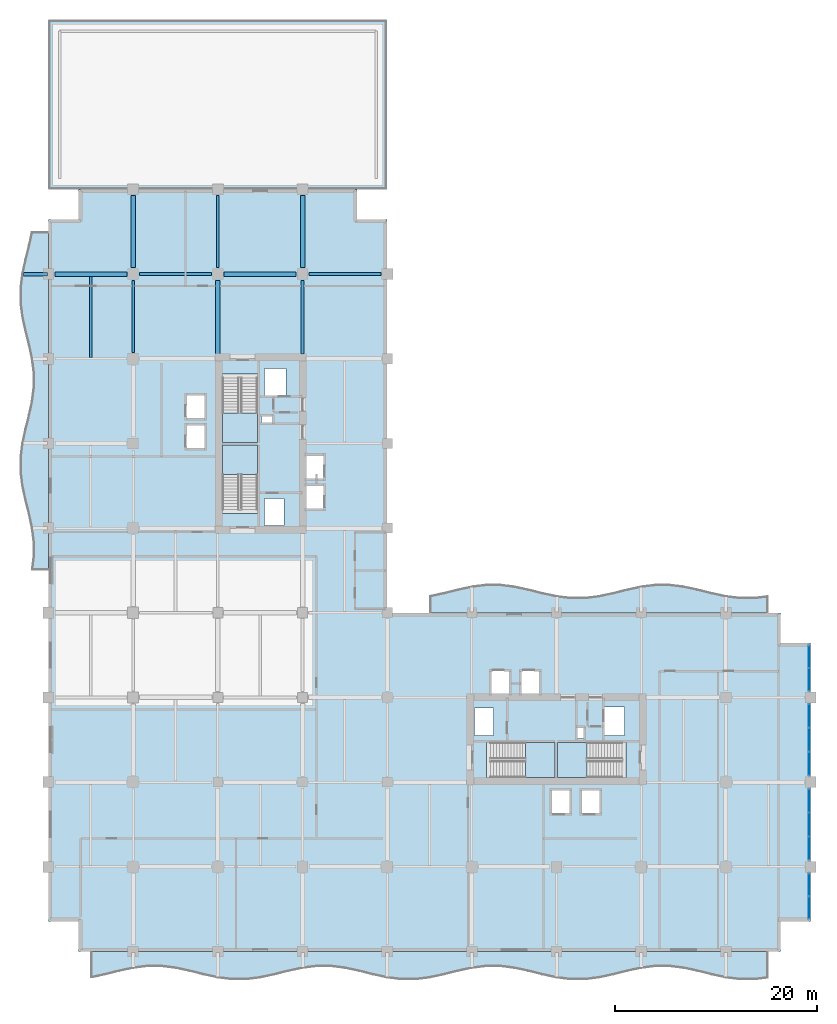
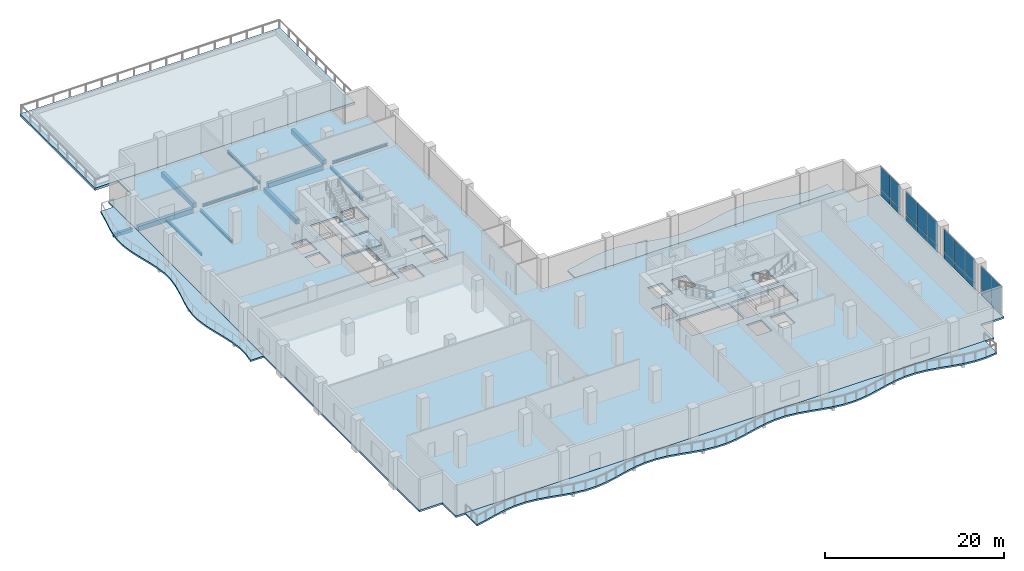
# One storey, part 8 of 22: 20 plates, 12 beams, 9 slabs, 8 elements without a shape of their own.
"""IFC4 building model written with IfcOpenShell, lengths in metres."""

from ifc_helpers import new_model, si_unit, direction, frame, origin, origin_2d, place, context, subcontext, project, spatial, polyline, rectangle, i_section, outline, extrude, material, layer, layer_set, material_profile, profile_set, type_object, element, aggregate, save


model = new_model("IFC4")

# Units and contexts
model_context = context("Model", 3, precision=1e-05, world=origin(), true_north=direction((0.0, 1.0)))
body_context = subcontext(model_context, "Body", "Model", "MODEL_VIEW")
ifc_project = project(units=[si_unit("LENGTHUNIT", "METRE"), si_unit("AREAUNIT", "SQUARE_METRE"), si_unit("VOLUMEUNIT", "CUBIC_METRE"), si_unit("PLANEANGLEUNIT", "RADIAN"), si_unit("MASSUNIT", "GRAM", prefix="KILO")], contexts=[model_context])

# Site, building, storey
site_placement = place(None, origin())
site = spatial("IfcSite", under=ifc_project, at=site_placement, CompositionType="ELEMENT")
building_placement = place(site_placement, origin())
building = spatial("IfcBuilding", under=site, at=building_placement, Name="Koriwani Terraces Tower", CompositionType="ELEMENT")
storey_placement = place(building_placement, frame((0.0, 0.0, 153.199951171875)))
storey = spatial("IfcBuildingStorey", under=building, at=storey_placement, Name="L37", CompositionType="ELEMENT", Elevation=153.199951171875)

# Beams
ifc_material_1 = material(Name="Concrete C40/50", Category="concrete")
ifc_material_profile_1 = material_profile(ifc_material_1, rectangle(XDim=0.35009765625, YDim=0.449951171875, at=origin_2d()), Name="Concrete C40/50", Category="LoadBearing")
ifc_profile_set_1 = profile_set([ifc_material_profile_1], Name="Concrete C40/50")
beam_type_1 = type_object("IfcBeamType", Name="BEAM_RC_BALCONY_RIB_350X450", PredefinedType="JOIST", material=ifc_profile_set_1)
beam_1_placement = place(storey_placement, frame((-2.502197265625, 67.199951171875, -0.474853515625), z_axis=(1.0, 0.0, 0.0), x_axis=(0.0, 1.0, 0.0)))
element("IfcBeam", 1, at=beam_1_placement, inside=storey, type_object=beam_type_1, Name="L37 Balcony Bracket Rib W-4", PredefinedType="JOIST", context=body_context, shape_type="SweptSolid", body=[
    extrude(rectangle(XDim=0.35009765625, YDim=0.449951171875, at=origin_2d()), origin(), (0.0, 0.0, 1.0), 2.402099609375),
])
ifc_material_2 = material(Name="Concrete C50/60", Category="concrete")
ifc_material_profile_2 = material_profile(ifc_material_2, rectangle(XDim=0.449951171875, YDim=0.64990234375, at=origin_2d()), Name="Concrete C50/60", Category="LoadBearing")
ifc_profile_set_2 = profile_set([ifc_material_profile_2], Name="Concrete C50/60")
beam_type_2 = type_object("IfcBeamType", Name="BEAM_RC_GRID_450X650", PredefinedType="BEAM", material=ifc_profile_set_2)
for number, where, z_axis, x_axis, name in (
    (2, (0.6298828125, 67.199951171875, -0.574951171875), (1.0, 0.0, 0.0), (0.0, 1.0, 0.0), "L37 Grid Beam I (0.0-8.4m)"),
    (3, (17.429931640625, 67.199951171875, -0.574951171875), (1.0, 0.0, 0.0), (0.0, 1.0, 0.0), "L37 Grid Beam I (16.8-25.2m)"),
):
    element("IfcBeam", number, at=place(storey_placement, frame(where, z_axis=z_axis, x_axis=x_axis)), inside=storey, type_object=beam_type_2, Name=name, PredefinedType="BEAM", context=body_context, shape_type="SweptSolid", body=[
        extrude(rectangle(XDim=0.449951171875, YDim=0.64990234375, at=origin_2d()), origin(), (0.0, 0.0, 1.0), 7.14013671875),
    ])
beam_2_placement = place(storey_placement, frame((8.39990234375, 67.830078125, -0.574951171875), z_axis=(0.0, 1.0, 0.0), x_axis=(-1.0, 0.0, 0.0)))
element("IfcBeam", 4, at=beam_2_placement, inside=storey, type_object=beam_type_2, Name="L37 Grid Beam 2 (67.2-75.6m)", PredefinedType="BEAM", context=body_context, shape_type="SweptSolid", body=[
    extrude(rectangle(XDim=0.449951171875, YDim=0.64990234375, at=origin_2d()), origin(), (0.0, 0.0, 1.0), 7.139892578125),
])
beam_3_placement = place(storey_placement, frame((16.800048828125, 59.280029296875, -0.574951171875), z_axis=(0.0, 1.0, 0.0), x_axis=(-1.0, 0.0, 0.0)))
element("IfcBeam", 5, at=beam_3_placement, inside=storey, type_object=beam_type_2, Name="L37 Grid Beam 3 (58.8-67.2m)", PredefinedType="BEAM", context=body_context, shape_type="SweptSolid", body=[
    extrude(rectangle(XDim=0.449951171875, YDim=0.64990234375, at=origin_2d()), origin(), (0.0, 0.0, 1.0), 7.2900390625),
])
beam_4_placement = place(storey_placement, frame((25.199951171875, 67.830078125, -0.574951171875), z_axis=(0.0, 1.0, 0.0), x_axis=(-1.0, 0.0, 0.0)))
element("IfcBeam", 6, at=beam_4_placement, inside=storey, type_object=beam_type_2, Name="L37 Grid Beam 4 (67.2-75.6m)", PredefinedType="BEAM", context=body_context, shape_type="SweptSolid", body=[
    extrude(rectangle(XDim=0.449951171875, YDim=0.64990234375, at=origin_2d()), origin(), (0.0, 0.0, 1.0), 7.139892578125),
])
ifc_material_3 = material(Name="Steel ASTM A572 Grade 50", Category="steel")
ifc_material_profile_3 = material_profile(ifc_material_3, i_section(OverallWidth=0.257080078125, OverallDepth=0.363037109375, WebThickness=0.012939453125, FlangeThickness=0.021728515625, at=origin_2d()), Name="Steel ASTM A572 Grade 50", Category="LoadBearing")
ifc_profile_set_3 = profile_set([ifc_material_profile_3], Name="Steel ASTM A572 Grade 50")
beam_type_3 = type_object("IfcBeamType", Name="STEEL_BEAM_W360X122", PredefinedType="JOIST", material=ifc_profile_set_3)
for number, where, z_axis, x_axis, name in (
    (7, (9.030029296875, 67.199951171875, -0.431396484375), (1.0, 0.0, 0.0), (0.0, 1.0, 0.0), "L37 Grid Beam I (8.4-16.8m)"),
    (8, (25.830078125, 67.199951171875, -0.431396484375), (1.0, 0.0, 0.0), (0.0, 1.0, 0.0), "L37 Grid Beam I (25.2-33.6m)"),
):
    element("IfcBeam", number, at=place(storey_placement, frame(where, z_axis=z_axis, x_axis=x_axis)), inside=storey, type_object=beam_type_3, Name=name, PredefinedType="JOIST", context=body_context, shape_type="SweptSolid", body=[
        extrude(i_section(OverallWidth=0.257080078125, OverallDepth=0.363037109375, WebThickness=0.012939453125, FlangeThickness=0.021728515625, at=origin_2d()), origin(), (0.0, 0.0, 1.0), 7.139892578125),
    ])
beam_5_placement = place(storey_placement, frame((8.39990234375, 59.429931640625, -0.431396484375), z_axis=(0.0, 1.0, 0.0), x_axis=(-1.0, 0.0, 0.0)))
element("IfcBeam", 9, at=beam_5_placement, inside=storey, type_object=beam_type_3, Name="L37 Grid Beam 2 (58.8-67.2m)", PredefinedType="JOIST", context=body_context, shape_type="SweptSolid", body=[
    extrude(i_section(OverallWidth=0.257080078125, OverallDepth=0.363037109375, WebThickness=0.012939453125, FlangeThickness=0.021728515625, at=origin_2d()), origin(), (0.0, 0.0, 1.0), 7.14013671875),
])
beam_6_placement = place(storey_placement, frame((16.800048828125, 67.830078125, -0.431396484375), z_axis=(0.0, 1.0, 0.0), x_axis=(-1.0, 0.0, 0.0)))
element("IfcBeam", 10, at=beam_6_placement, inside=storey, type_object=beam_type_3, Name="L37 Grid Beam 3 (67.2-75.6m)", PredefinedType="JOIST", context=body_context, shape_type="SweptSolid", body=[
    extrude(i_section(OverallWidth=0.257080078125, OverallDepth=0.363037109375, WebThickness=0.012939453125, FlangeThickness=0.021728515625, at=origin_2d()), origin(), (0.0, 0.0, 1.0), 7.139892578125),
])
beam_7_placement = place(storey_placement, frame((25.199951171875, 59.280029296875, -0.431396484375), z_axis=(0.0, 1.0, 0.0), x_axis=(-1.0, 0.0, 0.0)))
element("IfcBeam", 11, at=beam_7_placement, inside=storey, type_object=beam_type_3, Name="L37 Grid Beam 4 (58.8-67.2m)", PredefinedType="JOIST", context=body_context, shape_type="SweptSolid", body=[
    extrude(i_section(OverallWidth=0.257080078125, OverallDepth=0.363037109375, WebThickness=0.012939453125, FlangeThickness=0.021728515625, at=origin_2d()), origin(), (0.0, 0.0, 1.0), 7.2900390625),
])
beam_8_placement = place(storey_placement, frame((4.199951171875, 58.91845703125, -0.431396484375), z_axis=(0.0, 1.0, 0.0), x_axis=(-1.0, 0.0, 0.0)))
element("IfcBeam", 12, at=beam_8_placement, inside=storey, type_object=beam_type_3, Name="L37 Secondary Steel Floor Joist X=4.2m", PredefinedType="JOIST", context=body_context, shape_type="SweptSolid", body=[
    extrude(i_section(OverallWidth=0.257080078125, OverallDepth=0.363037109375, WebThickness=0.012939453125, FlangeThickness=0.021728515625, at=origin_2d()), origin(), (0.0, 0.0, 1.0), 8.066650390625),
])

# Curtain wall, plates
ifc_material_4 = material(Name="Anodised Bronze Aluminium", Category="aluminium")
ifc_layer_1 = layer(ifc_material_4, 0.169921875, Name="Anodised Bronze Aluminium")
ifc_layer_set_1 = layer_set([ifc_layer_1], Name="Anodised Bronze Aluminium")
curtain_wall_type = type_object("IfcCurtainWallType", Name="CW_RES_ZONE3", PredefinedType="NOTDEFINED", material=ifc_layer_set_1)
curtain_wall_1_placement = place(storey_placement, origin())
curtain_wall_1 = element("IfcCurtainWall", 13, at=curtain_wall_1_placement, inside=storey, type_object=curtain_wall_type, Name="L37 Unitised Curtain Wall (E_TIP) Bay 1", PredefinedType="NOTDEFINED")
ifc_material_5 = material(Name="Tempered Laminated Low-E Glass", Category="glass")
ifc_layer_2 = layer(ifc_material_5, 0.028076171875, Name="Tempered Laminated Low-E Glass")
ifc_layer_set_2 = layer_set([ifc_layer_2], Name="Tempered Laminated Low-E Glass")
plate_type = type_object("IfcPlateType", Name="CW_PANEL_VISION_28", PredefinedType="CURTAIN_PANEL", material=ifc_layer_set_2)
plate_1_placement = place(storey_placement, frame((75.425048828125, 29.25244140625, 0.06494140625), z_axis=(0.0, 0.0, 1.0), x_axis=(0.0, -1.0, 0.0)))
plate_1 = element("IfcPlate", 14, at=plate_1_placement, type_object=plate_type, Name="CW-Z3 panel 1.1", PredefinedType="CURTAIN_PANEL", context=body_context, shape_type="SweptSolid", body=[
    extrude(rectangle(XDim=2.195068359375, YDim=0.028076171875, at=origin_2d()), origin(), (0.0, 0.0, 1.0), 0.802490234375),
])
plate_2_placement = place(storey_placement, frame((75.425048828125, 29.25244140625, 0.9326171875), z_axis=(0.0, 0.0, 1.0), x_axis=(0.0, -1.0, 0.0)))
plate_2 = element("IfcPlate", 15, at=plate_2_placement, type_object=plate_type, Name="CW-Z3 panel 1.2", PredefinedType="CURTAIN_PANEL", context=body_context, shape_type="SweptSolid", body=[
    extrude(rectangle(XDim=2.195068359375, YDim=0.028076171875, at=origin_2d()), origin(), (0.0, 0.0, 1.0), 3.152587890625),
])
plate_3_placement = place(storey_placement, frame((75.425048828125, 26.982421875, 0.06494140625), z_axis=(0.0, 0.0, 1.0), x_axis=(0.0, -1.0, 0.0)))
plate_3 = element("IfcPlate", 16, at=plate_3_placement, type_object=plate_type, Name="CW-Z3 panel 2.1", PredefinedType="CURTAIN_PANEL", context=body_context, shape_type="SweptSolid", body=[
    extrude(rectangle(XDim=2.195068359375, YDim=0.028076171875, at=origin_2d()), origin(), (0.0, 0.0, 1.0), 0.802490234375),
])
plate_4_placement = place(storey_placement, frame((75.425048828125, 26.982421875, 0.9326171875), z_axis=(0.0, 0.0, 1.0), x_axis=(0.0, -1.0, 0.0)))
plate_4 = element("IfcPlate", 17, at=plate_4_placement, type_object=plate_type, Name="CW-Z3 panel 2.2", PredefinedType="CURTAIN_PANEL", context=body_context, shape_type="SweptSolid", body=[
    extrude(rectangle(XDim=2.195068359375, YDim=0.028076171875, at=origin_2d()), origin(), (0.0, 0.0, 1.0), 3.152587890625),
])
aggregate(curtain_wall_1, [plate_1, plate_2, plate_3, plate_4])

curtain_wall_2_placement = place(storey_placement, origin())
curtain_wall_2 = element("IfcCurtainWall", 18, at=curtain_wall_2_placement, inside=storey, type_object=curtain_wall_type, Name="L37 Unitised Curtain Wall (E_TIP) Bay 2", PredefinedType="NOTDEFINED")
plate_5_placement = place(storey_placement, frame((75.425048828125, 23.37451171875, 0.06494140625), z_axis=(0.0, 0.0, 1.0), x_axis=(0.0, -1.0, 0.0)))
plate_5 = element("IfcPlate", 19, at=plate_5_placement, type_object=plate_type, Name="CW-Z3 panel 1.1", PredefinedType="CURTAIN_PANEL", context=body_context, shape_type="SweptSolid", body=[
    extrude(rectangle(XDim=2.28076171875, YDim=0.028076171875, at=origin_2d()), origin(), (0.0, 0.0, 1.0), 0.802490234375),
])
plate_6_placement = place(storey_placement, frame((75.425048828125, 23.37451171875, 0.9326171875), z_axis=(0.0, 0.0, 1.0), x_axis=(0.0, -1.0, 0.0)))
plate_6 = element("IfcPlate", 20, at=plate_6_placement, type_object=plate_type, Name="CW-Z3 panel 1.2", PredefinedType="CURTAIN_PANEL", context=body_context, shape_type="SweptSolid", body=[
    extrude(rectangle(XDim=2.28076171875, YDim=0.028076171875, at=origin_2d()), origin(), (0.0, 0.0, 1.0), 3.152587890625),
])
plate_7_placement = place(storey_placement, frame((75.425048828125, 21.0, 0.06494140625), z_axis=(0.0, 0.0, 1.0), x_axis=(0.0, -1.0, 0.0)))
plate_7 = element("IfcPlate", 21, at=plate_7_placement, type_object=plate_type, Name="CW-Z3 panel 2.1", PredefinedType="CURTAIN_PANEL", context=body_context, shape_type="SweptSolid", body=[
    extrude(rectangle(XDim=2.318359375, YDim=0.028076171875, at=origin_2d()), origin(), (0.0, 0.0, 1.0), 0.802490234375),
])
plate_8_placement = place(storey_placement, frame((75.425048828125, 21.0, 0.9326171875), z_axis=(0.0, 0.0, 1.0), x_axis=(0.0, -1.0, 0.0)))
plate_8 = element("IfcPlate", 22, at=plate_8_placement, type_object=plate_type, Name="CW-Z3 panel 2.2", PredefinedType="CURTAIN_PANEL", context=body_context, shape_type="SweptSolid", body=[
    extrude(rectangle(XDim=2.318359375, YDim=0.028076171875, at=origin_2d()), origin(), (0.0, 0.0, 1.0), 3.152587890625),
])
plate_9_placement = place(storey_placement, frame((75.425048828125, 18.62548828125, 0.06494140625), z_axis=(0.0, 0.0, 1.0), x_axis=(0.0, -1.0, 0.0)))
plate_9 = element("IfcPlate", 23, at=plate_9_placement, type_object=plate_type, Name="CW-Z3 panel 3.1", PredefinedType="CURTAIN_PANEL", context=body_context, shape_type="SweptSolid", body=[
    extrude(rectangle(XDim=2.28076171875, YDim=0.028076171875, at=origin_2d()), origin(), (0.0, 0.0, 1.0), 0.802490234375),
])
plate_10_placement = place(storey_placement, frame((75.425048828125, 18.62548828125, 0.9326171875), z_axis=(0.0, 0.0, 1.0), x_axis=(0.0, -1.0, 0.0)))
plate_10 = element("IfcPlate", 24, at=plate_10_placement, type_object=plate_type, Name="CW-Z3 panel 3.2", PredefinedType="CURTAIN_PANEL", context=body_context, shape_type="SweptSolid", body=[
    extrude(rectangle(XDim=2.28076171875, YDim=0.028076171875, at=origin_2d()), origin(), (0.0, 0.0, 1.0), 3.152587890625),
])
aggregate(curtain_wall_2, [plate_5, plate_6, plate_7, plate_8, plate_9, plate_10])

curtain_wall_3_placement = place(storey_placement, origin())
curtain_wall_3 = element("IfcCurtainWall", 25, at=curtain_wall_3_placement, inside=storey, type_object=curtain_wall_type, Name="L37 Unitised Curtain Wall (E_TIP) Bay 3", PredefinedType="NOTDEFINED")
plate_11_placement = place(storey_placement, frame((75.425048828125, 14.974609375, 0.06494140625), z_axis=(0.0, 0.0, 1.0), x_axis=(0.0, -1.0, 0.0)))
plate_11 = element("IfcPlate", 26, at=plate_11_placement, type_object=plate_type, Name="CW-Z3 panel 1.1", PredefinedType="CURTAIN_PANEL", context=body_context, shape_type="SweptSolid", body=[
    extrude(rectangle(XDim=2.28076171875, YDim=0.028076171875, at=origin_2d()), origin(), (0.0, 0.0, 1.0), 0.802490234375),
])
plate_12_placement = place(storey_placement, frame((75.425048828125, 14.974609375, 0.9326171875), z_axis=(0.0, 0.0, 1.0), x_axis=(0.0, -1.0, 0.0)))
plate_12 = element("IfcPlate", 27, at=plate_12_placement, type_object=plate_type, Name="CW-Z3 panel 1.2", PredefinedType="CURTAIN_PANEL", context=body_context, shape_type="SweptSolid", body=[
    extrude(rectangle(XDim=2.28076171875, YDim=0.028076171875, at=origin_2d()), origin(), (0.0, 0.0, 1.0), 3.152587890625),
])
plate_13_placement = place(storey_placement, frame((75.425048828125, 12.60009765625, 0.06494140625), z_axis=(0.0, 0.0, 1.0), x_axis=(0.0, -1.0, 0.0)))
plate_13 = element("IfcPlate", 28, at=plate_13_placement, type_object=plate_type, Name="CW-Z3 panel 2.1", PredefinedType="CURTAIN_PANEL", context=body_context, shape_type="SweptSolid", body=[
    extrude(rectangle(XDim=2.318359375, YDim=0.028076171875, at=origin_2d()), origin(), (0.0, 0.0, 1.0), 0.802490234375),
])
plate_14_placement = place(storey_placement, frame((75.425048828125, 12.60009765625, 0.9326171875), z_axis=(0.0, 0.0, 1.0), x_axis=(0.0, -1.0, 0.0)))
plate_14 = element("IfcPlate", 29, at=plate_14_placement, type_object=plate_type, Name="CW-Z3 panel 2.2", PredefinedType="CURTAIN_PANEL", context=body_context, shape_type="SweptSolid", body=[
    extrude(rectangle(XDim=2.318359375, YDim=0.028076171875, at=origin_2d()), origin(), (0.0, 0.0, 1.0), 3.152587890625),
])
plate_15_placement = place(storey_placement, frame((75.425048828125, 10.225341796875, 0.06494140625), z_axis=(0.0, 0.0, 1.0), x_axis=(0.0, -1.0, 0.0)))
plate_15 = element("IfcPlate", 30, at=plate_15_placement, type_object=plate_type, Name="CW-Z3 panel 3.1", PredefinedType="CURTAIN_PANEL", context=body_context, shape_type="SweptSolid", body=[
    extrude(rectangle(XDim=2.28076171875, YDim=0.028076171875, at=origin_2d()), origin(), (0.0, 0.0, 1.0), 0.802490234375),
])
plate_16_placement = place(storey_placement, frame((75.425048828125, 10.225341796875, 0.9326171875), z_axis=(0.0, 0.0, 1.0), x_axis=(0.0, -1.0, 0.0)))
plate_16 = element("IfcPlate", 31, at=plate_16_placement, type_object=plate_type, Name="CW-Z3 panel 3.2", PredefinedType="CURTAIN_PANEL", context=body_context, shape_type="SweptSolid", body=[
    extrude(rectangle(XDim=2.28076171875, YDim=0.028076171875, at=origin_2d()), origin(), (0.0, 0.0, 1.0), 3.152587890625),
])
aggregate(curtain_wall_3, [plate_11, plate_12, plate_13, plate_14, plate_15, plate_16])

curtain_wall_4_placement = place(storey_placement, origin())
curtain_wall_4 = element("IfcCurtainWall", 32, at=curtain_wall_4_placement, inside=storey, type_object=curtain_wall_type, Name="L37 Unitised Curtain Wall (E_TIP) Bay 4", PredefinedType="NOTDEFINED")
plate_17_placement = place(storey_placement, frame((75.425048828125, 6.617431640625, 0.06494140625), z_axis=(0.0, 0.0, 1.0), x_axis=(0.0, -1.0, 0.0)))
plate_17 = element("IfcPlate", 33, at=plate_17_placement, type_object=plate_type, Name="CW-Z3 panel 1.1", PredefinedType="CURTAIN_PANEL", context=body_context, shape_type="SweptSolid", body=[
    extrude(rectangle(XDim=2.195068359375, YDim=0.028076171875, at=origin_2d()), origin(), (0.0, 0.0, 1.0), 0.802490234375),
])
plate_18_placement = place(storey_placement, frame((75.425048828125, 6.617431640625, 0.9326171875), z_axis=(0.0, 0.0, 1.0), x_axis=(0.0, -1.0, 0.0)))
plate_18 = element("IfcPlate", 34, at=plate_18_placement, type_object=plate_type, Name="CW-Z3 panel 1.2", PredefinedType="CURTAIN_PANEL", context=body_context, shape_type="SweptSolid", body=[
    extrude(rectangle(XDim=2.195068359375, YDim=0.028076171875, at=origin_2d()), origin(), (0.0, 0.0, 1.0), 3.152587890625),
])
plate_19_placement = place(storey_placement, frame((75.425048828125, 4.347412109375, 0.06494140625), z_axis=(0.0, 0.0, 1.0), x_axis=(0.0, -1.0, 0.0)))
plate_19 = element("IfcPlate", 35, at=plate_19_placement, type_object=plate_type, Name="CW-Z3 panel 2.1", PredefinedType="CURTAIN_PANEL", context=body_context, shape_type="SweptSolid", body=[
    extrude(rectangle(XDim=2.195068359375, YDim=0.028076171875, at=origin_2d()), origin(), (0.0, 0.0, 1.0), 0.802490234375),
])
plate_20_placement = place(storey_placement, frame((75.425048828125, 4.347412109375, 0.9326171875), z_axis=(0.0, 0.0, 1.0), x_axis=(0.0, -1.0, 0.0)))
plate_20 = element("IfcPlate", 36, at=plate_20_placement, type_object=plate_type, Name="CW-Z3 panel 2.2", PredefinedType="CURTAIN_PANEL", context=body_context, shape_type="SweptSolid", body=[
    extrude(rectangle(XDim=2.195068359375, YDim=0.028076171875, at=origin_2d()), origin(), (0.0, 0.0, 1.0), 3.152587890625),
])
aggregate(curtain_wall_4, [plate_17, plate_18, plate_19, plate_20])

# Slabs
ifc_layer_3 = layer(ifc_material_1, 0.219970703125, Name="Concrete C40/50")
ifc_layer_set_3 = layer_set([ifc_layer_3], Name="Concrete C40/50")
slab_type_1 = type_object("IfcSlabType", Name="SLAB_BALCONY_220", PredefinedType="FLOOR", material=ifc_layer_set_3)
slab_1_placement = place(storey_placement, frame((0.0, 0.0, -0.219970703125)))
element("IfcSlab", 37, at=slab_1_placement, inside=storey, type_object=slab_type_1, Name="L37 Quilted Circular-Arc Balcony (S)", PredefinedType="FLOOR", context=body_context, shape_type="SweptSolid", body=[
    extrude(outline(polyline([(4.199951171875, 0.0), (5.60009765625, 0.0), (7.0, 0.0), (8.39990234375, 0.0), (9.800048828125, 0.0), (11.199951171875, 0.0), (12.60009765625, 0.0), (14.0, 0.0), (15.39990234375, 0.0), (16.800048828125, 0.0), (18.199951171875, 0.0), (19.60009765625, 0.0), (21.0, 0.0), (22.39990234375, 0.0), (23.800048828125, 0.0), (25.199951171875, 0.0), (26.60009765625, 0.0), (28.0, 0.0), (29.39990234375, 0.0), (30.800048828125, 0.0), (32.199951171875, 0.0), (33.60009765625, 0.0), (35.0, 0.0), (36.39990234375, 0.0), (37.800048828125, 0.0), (39.199951171875, 0.0), (40.60009765625, 0.0), (42.0, 0.0), (43.39990234375, 0.0), (44.800048828125, 0.0), (46.199951171875, 0.0), (47.60009765625, 0.0), (49.0, 0.0), (50.39990234375, 0.0), (51.800048828125, 0.0), (53.199951171875, 0.0), (54.60009765625, 0.0), (56.0, 0.0), (57.39990234375, 0.0), (58.800048828125, 0.0), (60.199951171875, 0.0), (61.60009765625, 0.0), (63.0, 0.0), (64.39990234375, 0.0), (65.800048828125, 0.0), (67.199951171875, 0.0), (68.60009765625, 0.0), (70.0, 0.0), (71.39990234375, 0.0), (71.39990234375, -2.65234375), (70.0, -2.826904296875), (68.60009765625, -2.826904296875), (67.199951171875, -2.65234375), (65.800048828125, -2.349609375), (64.39990234375, -2.000244140625), (63.0, -1.69775390625), (61.60009765625, -1.52294921875), (60.199951171875, -1.52294921875), (58.800048828125, -1.69775390625), (57.39990234375, -2.000244140625), (56.0, -2.349609375), (54.60009765625, -2.65234375), (53.199951171875, -2.826904296875), (51.800048828125, -2.826904296875), (50.39990234375, -2.65234375), (49.0, -2.349609375), (47.60009765625, -2.000244140625), (46.199951171875, -1.69775390625), (44.800048828125, -1.52294921875), (43.39990234375, -1.52294921875), (42.0, -1.69775390625), (40.60009765625, -2.000244140625), (39.199951171875, -2.349609375), (37.800048828125, -2.65234375), (36.39990234375, -2.826904296875), (35.0, -2.826904296875), (33.60009765625, -2.65234375), (32.199951171875, -2.349609375), (30.800048828125, -2.000244140625), (29.39990234375, -1.69775390625), (28.0, -1.52294921875), (26.60009765625, -1.52294921875), (25.199951171875, -1.69775390625), (23.800048828125, -2.000244140625), (22.39990234375, -2.349609375), (21.0, -2.65234375), (19.60009765625, -2.826904296875), (18.199951171875, -2.826904296875), (16.800048828125, -2.65234375), (15.39990234375, -2.349609375), (14.0, -2.000244140625), (12.60009765625, -1.69775390625), (11.199951171875, -1.52294921875), (9.800048828125, -1.52294921875), (8.39990234375, -1.69775390625), (7.0, -2.000244140625), (5.60009765625, -2.349609375), (4.199951171875, -2.65234375), (4.199951171875, 0.0)])), origin(), (0.0, 0.0, 1.0), 0.219970703125),
])
slab_2_placement = place(storey_placement, frame((0.0, 0.0, -0.219970703125)))
element("IfcSlab", 38, at=slab_2_placement, inside=storey, type_object=slab_type_1, Name="L37 Quilted Circular-Arc Balcony (W)", PredefinedType="FLOOR", context=body_context, shape_type="SweptSolid", body=[
    extrude(outline(polyline([(0.0, 37.800048828125), (0.0, 39.199951171875), (0.0, 40.60009765625), (0.0, 42.0), (0.0, 43.39990234375), (0.0, 44.800048828125), (0.0, 46.199951171875), (0.0, 47.60009765625), (0.0, 49.0), (0.0, 50.39990234375), (0.0, 51.800048828125), (0.0, 53.199951171875), (0.0, 54.60009765625), (0.0, 56.0), (0.0, 57.39990234375), (0.0, 58.800048828125), (0.0, 60.199951171875), (0.0, 61.60009765625), (0.0, 63.0), (0.0, 64.39990234375), (0.0, 65.800048828125), (0.0, 67.199951171875), (0.0, 68.60009765625), (0.0, 70.0), (0.0, 71.39990234375), (-1.69775390625, 71.39990234375), (-2.000244140625, 70.0), (-2.349609375, 68.60009765625), (-2.65234375, 67.199951171875), (-2.826904296875, 65.800048828125), (-2.826904296875, 64.39990234375), (-2.65234375, 63.0), (-2.349609375, 61.60009765625), (-2.000244140625, 60.199951171875), (-1.69775390625, 58.800048828125), (-1.52294921875, 57.39990234375), (-1.52294921875, 56.0), (-1.69775390625, 54.60009765625), (-2.000244140625, 53.199951171875), (-2.349609375, 51.800048828125), (-2.65234375, 50.39990234375), (-2.826904296875, 49.0), (-2.826904296875, 47.60009765625), (-2.65234375, 46.199951171875), (-2.349609375, 44.800048828125), (-2.000244140625, 43.39990234375), (-1.69775390625, 42.0), (-1.52294921875, 40.60009765625), (-1.52294921875, 39.199951171875), (-1.69775390625, 37.800048828125), (0.0, 37.800048828125)])), origin(), (0.0, 0.0, 1.0), 0.219970703125),
])
slab_3_placement = place(storey_placement, frame((0.0, 0.0, -0.219970703125)))
element("IfcSlab", 39, at=slab_3_placement, inside=storey, type_object=slab_type_1, Name="L37 Quilted Circular-Arc Balcony (NE)", PredefinedType="FLOOR", context=body_context, shape_type="SweptSolid", body=[
    extrude(outline(polyline([(71.39990234375, 33.60009765625), (70.0, 33.60009765625), (68.60009765625, 33.60009765625), (67.199951171875, 33.60009765625), (65.800048828125, 33.60009765625), (64.39990234375, 33.60009765625), (63.0, 33.60009765625), (61.60009765625, 33.60009765625), (60.199951171875, 33.60009765625), (58.800048828125, 33.60009765625), (57.39990234375, 33.60009765625), (56.0, 33.60009765625), (54.60009765625, 33.60009765625), (53.199951171875, 33.60009765625), (51.800048828125, 33.60009765625), (50.39990234375, 33.60009765625), (49.0, 33.60009765625), (47.60009765625, 33.60009765625), (46.199951171875, 33.60009765625), (44.800048828125, 33.60009765625), (43.39990234375, 33.60009765625), (42.0, 33.60009765625), (40.60009765625, 33.60009765625), (39.199951171875, 33.60009765625), (37.800048828125, 33.60009765625), (37.800048828125, 35.297607421875), (39.199951171875, 35.600341796875), (40.60009765625, 35.94970703125), (42.0, 36.252197265625), (43.39990234375, 36.427001953125), (44.800048828125, 36.427001953125), (46.199951171875, 36.252197265625), (47.60009765625, 35.94970703125), (49.0, 35.600341796875), (50.39990234375, 35.297607421875), (51.800048828125, 35.123046875), (53.199951171875, 35.123046875), (54.60009765625, 35.297607421875), (56.0, 35.600341796875), (57.39990234375, 35.94970703125), (58.800048828125, 36.252197265625), (60.199951171875, 36.427001953125), (61.60009765625, 36.427001953125), (63.0, 36.252197265625), (64.39990234375, 35.94970703125), (65.800048828125, 35.600341796875), (67.199951171875, 35.297607421875), (68.60009765625, 35.123046875), (70.0, 35.123046875), (71.39990234375, 35.297607421875), (71.39990234375, 33.60009765625)])), origin(), (0.0, 0.0, 1.0), 0.219970703125),
])
ifc_layer_4 = layer(ifc_material_2, 0.320068359375, Name="Concrete C50/60")
ifc_layer_set_4 = layer_set([ifc_layer_4], Name="Concrete C50/60")
slab_type_2 = type_object("IfcSlabType", Name="SLAB_SKY_TERRACE_ROOF_320", PredefinedType="ROOF", material=ifc_layer_set_4)
slab_4_placement = place(storey_placement, frame((0.0, 0.0, -0.320068359375)))
element("IfcSlab", 40, at=slab_4_placement, inside=storey, type_object=slab_type_2, Name="L37 Planted Sky-Garden Setback Terrace Slab", PredefinedType="ROOF", context=body_context, shape_type="SweptSolid", body=[
    extrude(outline(polyline([(0.0, 75.60009765625), (33.60009765625, 75.60009765625), (33.60009765625, 92.39990234375), (0.0, 92.39990234375), (0.0, 75.60009765625)])), origin(), (0.0, 0.0, 1.0), 0.320068359375),
])

# Stair, slab
stair_type = type_object("IfcStairType", Name="STAIR_CORE_DOGLEG_1650", PredefinedType="TWO_STRAIGHT_RUN_STAIR", material=ifc_material_1)
stair_1_placement = place(storey_placement, origin())
stair_1 = element("IfcStair", 41, at=stair_1_placement, inside=storey, type_object=stair_type, Name="L37 West Core Exit Stair 1", PredefinedType="HALF_TURN_STAIR")
ifc_layer_5 = layer(ifc_material_1, 0.199951171875, Name="Concrete C40/50")
ifc_layer_set_5 = layer_set([ifc_layer_5], Name="Concrete C40/50")
slab_type_3 = type_object("IfcSlabType", Name="SLAB_STAIR_LANDING_200", PredefinedType="LANDING", material=ifc_layer_set_5)
slab_5_placement = place(storey_placement, frame((0.0, 0.0, 2.0)))
slab_5 = element("IfcSlab", 42, at=slab_5_placement, type_object=slab_type_3, Name="ST-W1 landing 1", PredefinedType="LANDING", context=body_context, shape_type="SweptSolid", body=[
    extrude(outline(polyline([(20.75, 47.330078125), (20.75, 50.25), (17.25, 50.25), (17.25, 47.330078125), (20.75, 47.330078125)])), origin(), (0.0, 0.0, 1.0), 0.199951171875),
])
aggregate(stair_1, [slab_5])

stair_2_placement = place(storey_placement, origin())
stair_2 = element("IfcStair", 43, at=stair_2_placement, inside=storey, type_object=stair_type, Name="L37 West Core Exit Stair 2", PredefinedType="HALF_TURN_STAIR")
slab_6_placement = place(storey_placement, frame((0.0, 0.0, 2.0)))
slab_6 = element("IfcSlab", 44, at=slab_6_placement, type_object=slab_type_3, Name="ST-W2 landing 1", PredefinedType="LANDING", context=body_context, shape_type="SweptSolid", body=[
    extrude(outline(polyline([(17.25, 53.419921875), (17.25, 50.5), (20.75, 50.5), (20.75, 53.419921875), (17.25, 53.419921875)])), origin(), (0.0, 0.0, 1.0), 0.199951171875),
])
aggregate(stair_2, [slab_6])

stair_3_placement = place(storey_placement, origin())
stair_3 = element("IfcStair", 45, at=stair_3_placement, inside=storey, type_object=stair_type, Name="L37 East Core Exit Stair 1", PredefinedType="HALF_TURN_STAIR")
slab_7_placement = place(storey_placement, frame((0.0, 0.0, 2.0)))
slab_7 = element("IfcSlab", 46, at=slab_7_placement, type_object=slab_type_3, Name="ST-E1 landing 1", PredefinedType="LANDING", context=body_context, shape_type="SweptSolid", body=[
    extrude(outline(polyline([(47.330078125, 17.25), (50.25, 17.25), (50.25, 20.75), (47.330078125, 20.75), (47.330078125, 17.25)])), origin(), (0.0, 0.0, 1.0), 0.199951171875),
])
aggregate(stair_3, [slab_7])

stair_4_placement = place(storey_placement, origin())
stair_4 = element("IfcStair", 47, at=stair_4_placement, inside=storey, type_object=stair_type, Name="L37 East Core Exit Stair 2", PredefinedType="HALF_TURN_STAIR")
slab_8_placement = place(storey_placement, frame((0.0, 0.0, 2.0)))
slab_8 = element("IfcSlab", 48, at=slab_8_placement, type_object=slab_type_3, Name="ST-E2 landing 1", PredefinedType="LANDING", context=body_context, shape_type="SweptSolid", body=[
    extrude(outline(polyline([(53.419921875, 20.75), (50.5, 20.75), (50.5, 17.25), (53.419921875, 17.25), (53.419921875, 20.75)])), origin(), (0.0, 0.0, 1.0), 0.199951171875),
])
aggregate(stair_4, [slab_8])

# Slab
ifc_layer_6 = layer(ifc_material_1, 0.25, Name="Concrete C40/50")
ifc_layer_set_6 = layer_set([ifc_layer_6], Name="Concrete C40/50")
slab_type_4 = type_object("IfcSlabType", Name="SLAB_TOWER_TYP_250", PredefinedType="FLOOR", material=ifc_layer_set_6)
slab_9_placement = place(storey_placement, frame((0.0, 0.0, -0.25)))
element("IfcSlab", 49, at=slab_9_placement, inside=storey, type_object=slab_type_4, Name="L37 Structural Floor Slab", PredefinedType="FLOOR", context=body_context, shape_type="SweptSolid", body=[
    extrude(outline(polyline([(3.0, 0.0), (72.60009765625, 0.0), (72.60009765625, 3.0), (75.60009765625, 3.0), (75.60009765625, 30.60009765625), (72.60009765625, 30.60009765625), (72.60009765625, 33.60009765625), (33.60009765625, 33.60009765625), (33.60009765625, 72.60009765625), (30.60009765625, 72.60009765625), (30.60009765625, 75.60009765625), (3.0, 75.60009765625), (3.0, 72.60009765625), (0.0, 72.60009765625), (0.0, 3.0), (3.0, 3.0), (3.0, 0.0)]), holes=[polyline([(17.25, 43.4599609375), (20.75, 43.4599609375), (20.75, 50.25), (17.25, 50.25), (17.25, 43.4599609375)]), polyline([(17.25, 50.5), (20.75, 50.5), (20.75, 57.2900390625), (17.25, 57.2900390625), (17.25, 50.5)]), polyline([(43.4599609375, 17.25), (50.25, 17.25), (50.25, 20.75), (43.4599609375, 20.75), (43.4599609375, 17.25)]), polyline([(50.5, 17.25), (57.2900390625, 17.25), (57.2900390625, 20.75), (50.5, 20.75), (50.5, 17.25)]), polyline([(13.64990234375, 49.85009765625), (15.550048828125, 49.85009765625), (15.550048828125, 52.25), (13.64990234375, 52.25), (13.64990234375, 49.85009765625)]), polyline([(13.64990234375, 52.85009765625), (15.550048828125, 52.85009765625), (15.550048828125, 55.25), (13.64990234375, 55.25), (13.64990234375, 52.85009765625)]), polyline([(49.85009765625, 13.64990234375), (51.75, 13.64990234375), (51.75, 16.050048828125), (49.85009765625, 16.050048828125), (49.85009765625, 13.64990234375)]), polyline([(52.85009765625, 13.64990234375), (54.75, 13.64990234375), (54.75, 16.050048828125), (52.85009765625, 16.050048828125), (52.85009765625, 13.64990234375)]), polyline([(25.449951171875, 43.85009765625), (27.35009765625, 43.85009765625), (27.35009765625, 46.25), (25.449951171875, 46.25), (25.449951171875, 43.85009765625)]), polyline([(25.449951171875, 46.85009765625), (27.35009765625, 46.85009765625), (27.35009765625, 49.25), (25.449951171875, 49.25), (25.449951171875, 46.85009765625)]), polyline([(43.85009765625, 25.449951171875), (45.75, 25.449951171875), (45.75, 27.85009765625), (43.85009765625, 27.85009765625), (43.85009765625, 25.449951171875)]), polyline([(46.85009765625, 25.449951171875), (48.75, 25.449951171875), (48.75, 27.85009765625), (46.85009765625, 27.85009765625), (46.85009765625, 25.449951171875)]), polyline([(21.449951171875, 55.050048828125), (23.550048828125, 55.050048828125), (23.550048828125, 57.85009765625), (21.449951171875, 57.85009765625), (21.449951171875, 55.050048828125)]), polyline([(55.050048828125, 21.449951171875), (57.14990234375, 21.449951171875), (57.14990234375, 24.25), (55.050048828125, 24.25), (55.050048828125, 21.449951171875)]), polyline([(21.449951171875, 42.25), (23.35009765625, 42.25), (23.35009765625, 44.949951171875), (21.449951171875, 44.949951171875), (21.449951171875, 42.25)]), polyline([(42.25, 21.449951171875), (44.14990234375, 21.449951171875), (44.14990234375, 24.14990234375), (42.25, 24.14990234375), (42.25, 21.449951171875)]), polyline([(21.14990234375, 52.419921875), (22.219970703125, 52.419921875), (22.219970703125, 53.179931640625), (21.14990234375, 53.179931640625), (21.14990234375, 52.419921875)]), polyline([(52.419921875, 21.14990234375), (53.179931640625, 21.14990234375), (53.179931640625, 22.219970703125), (52.419921875, 22.219970703125), (52.419921875, 21.14990234375)])]), origin(), (0.0, 0.0, 1.0), 0.25),
])

save(model, "model.ifc")
